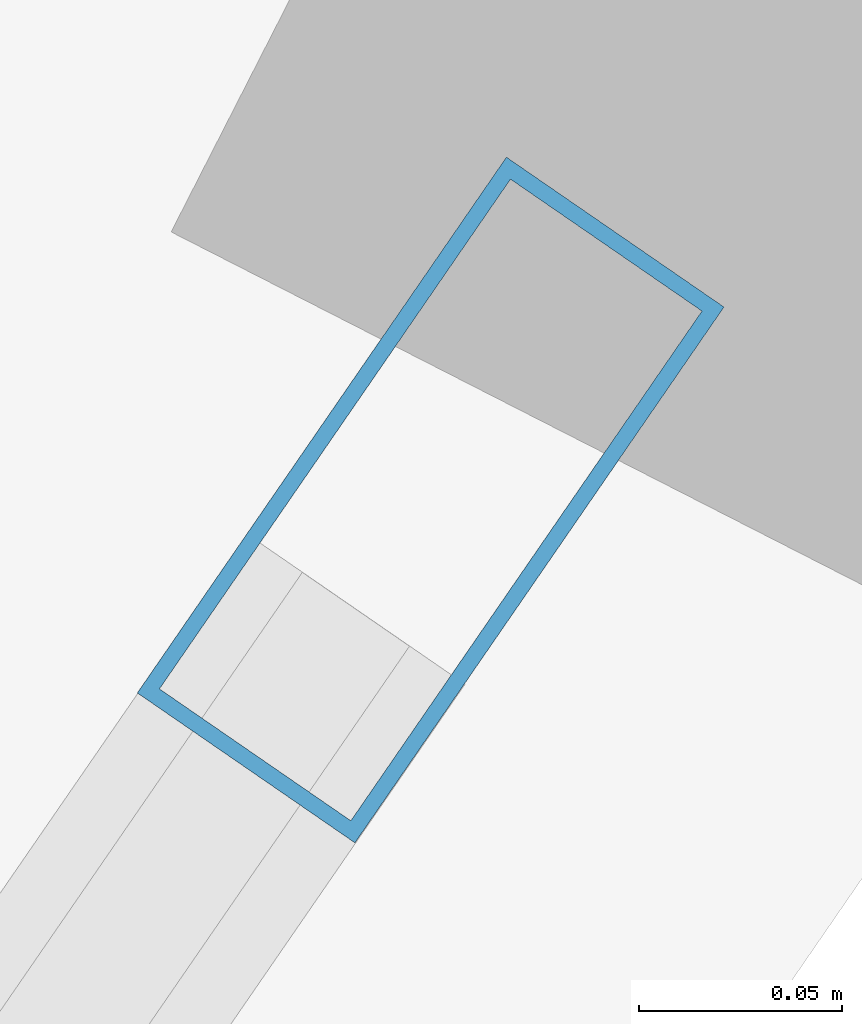
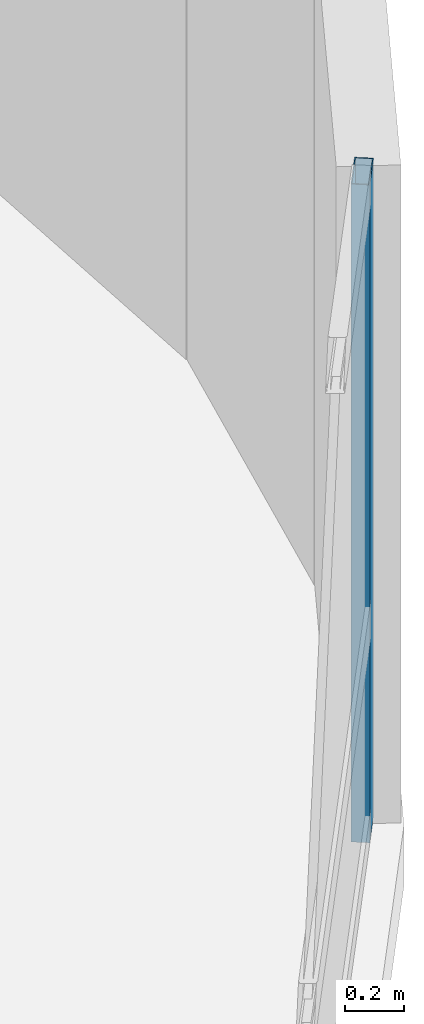
# One storey, part 13 of 27: 1 member, 1 element without a shape of its own.
"""IFC4 building model written with IfcOpenShell, lengths in metres."""

from ifc_helpers import new_model, si_unit, direction, frame, origin, origin_2d, place, context, subcontext, project, spatial, hollow_rectangle, extrude, material, layer, layer_set, material_profile, profile_set, type_object, element, aggregate, save


model = new_model("IFC4")

# Units and contexts
model_context = context("Model", 3, precision=1e-05, world=origin(), true_north=direction((0.0, 1.0)))
body_context = subcontext(model_context, "Body", "Model", "MODEL_VIEW")
ifc_project = project(units=[si_unit("LENGTHUNIT", "METRE"), si_unit("AREAUNIT", "SQUARE_METRE"), si_unit("VOLUMEUNIT", "CUBIC_METRE"), si_unit("PLANEANGLEUNIT", "RADIAN"), si_unit("MASSUNIT", "GRAM", prefix="KILO")], contexts=[model_context])

# Site, building, storey
site_placement = place(None, origin())
site = spatial("IfcSite", under=ifc_project, at=site_placement, CompositionType="ELEMENT")
building_placement = place(site_placement, origin())
building = spatial("IfcBuilding", under=site, at=building_placement, Name="Varnelok Gate Tower", CompositionType="ELEMENT")
storey_placement = place(building_placement, frame((0.0, 0.0, 60.300048828125)))
storey = spatial("IfcBuildingStorey", under=building, at=storey_placement, Name="L14", CompositionType="ELEMENT", Elevation=60.300048828125)

# Curtain wall, member
ifc_material = material(Name="Anodized Aluminum Alloy 6063-T6", Category="aluminium")
ifc_layer = layer(ifc_material, 0.179931640625)
ifc_layer_set = layer_set([ifc_layer], Name="Anodized Aluminum Alloy 6063-T6")
curtain_wall_type = type_object("IfcCurtainWallType", Name="CW3-HOTEL-VISION", PredefinedType="USERDEFINED", material=ifc_layer_set)
curtain_wall_placement = place(storey_placement, origin())
curtain_wall = element("IfcCurtainWall", 1, at=curtain_wall_placement, inside=storey, type_object=curtain_wall_type, Name="L14 East End Vision Curtain Wall", ObjectType="UNITISED CURTAIN WALL", PredefinedType="USERDEFINED")
ifc_material_profile = material_profile(ifc_material, hollow_rectangle(XDim=0.06494140625, YDim=0.159912109375, WallThickness=0.00390625, at=origin_2d()), Name="ALU160X65X4")
ifc_profile_set = profile_set([ifc_material_profile], Name="Anodized Aluminum Alloy 6063-T6")
member_type = type_object("IfcMemberType", Name="CW-MULL-160", PredefinedType="MULLION", material=ifc_profile_set)
member_placement = place(storey_placement, frame((82.52392578125, 19.33935546875, 0.0), z_axis=(0.0, 0.0, 1.0), x_axis=(0.823532685111, -0.567268822124, 0.0)))
member = element("IfcMember", 2, at=member_placement, type_object=member_type, Name="CW3 mullion 1", PredefinedType="MULLION", context=body_context, shape_type="SweptSolid", body=[
    extrude(hollow_rectangle(XDim=0.06494140625, YDim=0.159912109375, WallThickness=0.00390625, at=origin_2d()), origin(), (0.0, 0.0, 1.0), 2.72998046875),
])
aggregate(curtain_wall, [member])

save(model, "model.ifc")
